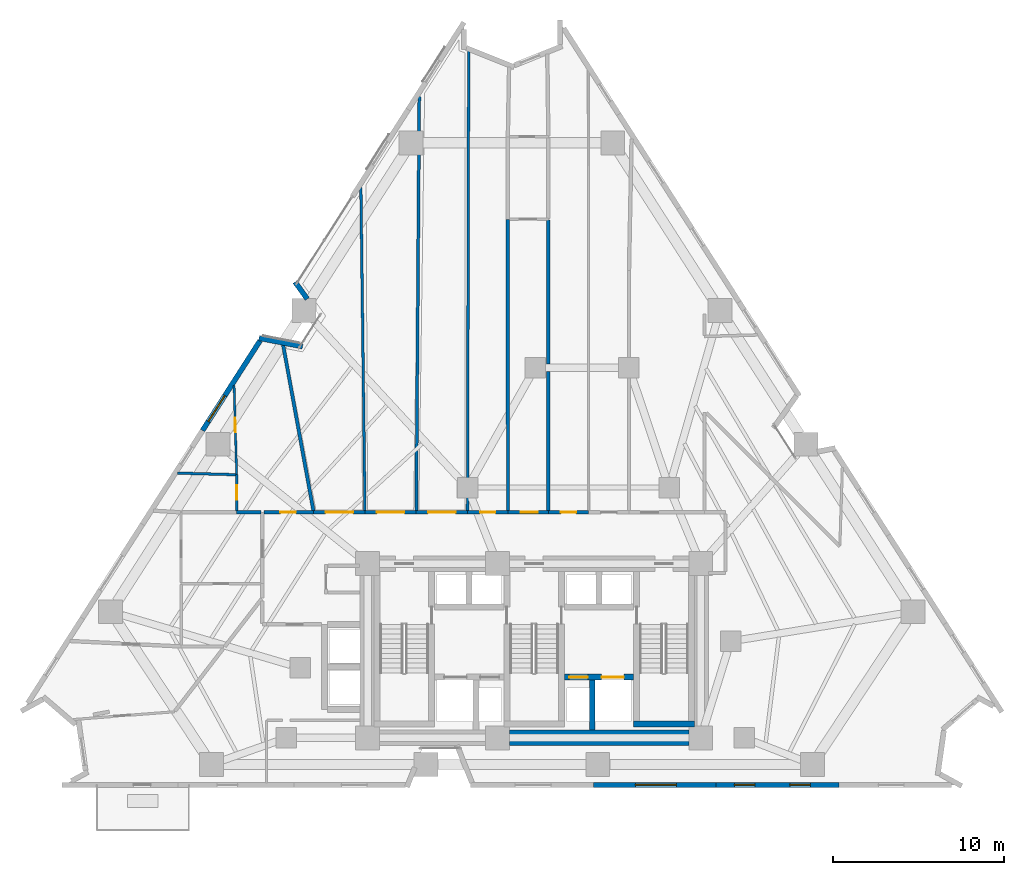
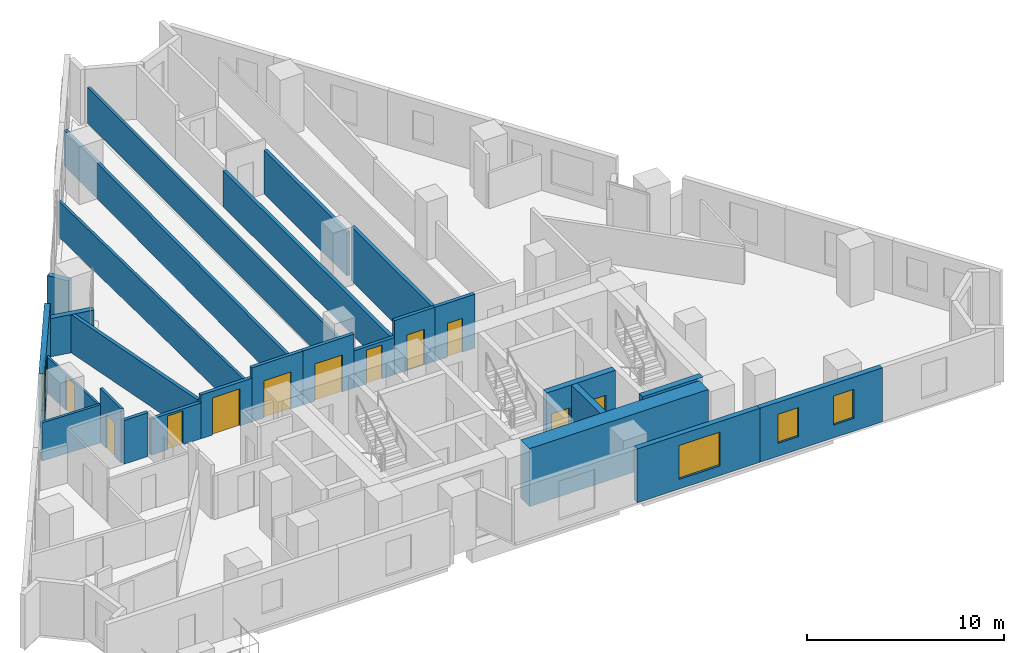
# One storey, part 9 of 15: 27 walls, 11 doors, 4 windows, 15 openings.
"""IFC4 building model written with IfcOpenShell, lengths in metres."""

import ifcopenshell
import ifcopenshell.guid

model = None  # the IFC model being written
_history = None  # IfcOwnerHistory: only IFC2X3 demands one
_inside = {}  # id of a spatial element -> (the spatial element, [elements in it])
_under = {}  # id of a project, library or spatial element -> (it, [spatial elements below it])
_declared = {}  # id of a project -> (the project, [libraries it declares])
_typed = {}  # id of a type object -> (the type object, [elements of that type])
_made_of = {}  # id of a material, layer set ... -> (it, [elements and type objects made of it])


def new_model(schema):
    """Start an empty IFC model of exactly this schema.

    Asked for "IFC4X3", IfcOpenShell would pick the latest addendum, in which some entities
    have other attributes; the version numbers below select the first issue.
    IFC2X3 requires an IfcOwnerHistory on every rooted entity: one is made here for all.
    """
    global model, _history
    if schema == "IFC4X3":
        model = ifcopenshell.file(schema_version=(4, 3, 0, 0))
    else:
        model = ifcopenshell.file(schema=schema)
    _inside.clear()
    _under.clear()
    _declared.clear()
    _typed.clear()
    _made_of.clear()
    _history = None
    if model.schema == "IFC2X3":
        org = make("IfcOrganization", Name="unknown")
        user = make(
            "IfcPersonAndOrganization",
            ThePerson=make("IfcPerson", FamilyName="unknown"),
            TheOrganization=org,
        )
        app = make(
            "IfcApplication",
            ApplicationDeveloper=org,
            Version="unknown",
            ApplicationFullName="unknown",
            ApplicationIdentifier="unknown",
        )
        _history = make(
            "IfcOwnerHistory",
            OwningUser=user,
            OwningApplication=app,
            ChangeAction="ADDED",
            CreationDate=0,
        )
    return model


def make(cls, **values):
    """One entity of the class cls with the attributes given. An attribute that is None is left unset."""
    return model.create_entity(
        cls, **{name: value for name, value in values.items() if value is not None}
    )


def rooted(cls, **values):
    """An entity with a GlobalId (a new one), such as an element, a storey or a relation."""
    return make(cls, GlobalId=ifcopenshell.guid.new(), OwnerHistory=_history, **values)


def si_unit(unit_type, name, prefix=None):
    """IfcSIUnit, for example si_unit("LENGTHUNIT", "METRE", prefix="MILLI")."""
    return make("IfcSIUnit", UnitType=unit_type, Prefix=prefix, Name=name)


def assignment(units):
    """IfcUnitAssignment: the units of a project."""
    return None if units is None else make("IfcUnitAssignment", Units=units)


def point(xyz):
    """IfcCartesianPoint."""
    return None if xyz is None else make("IfcCartesianPoint", Coordinates=xyz)


def direction(xyz):
    """IfcDirection."""
    return None if xyz is None else make("IfcDirection", DirectionRatios=xyz)


def frame(location, z_axis=None, x_axis=None):
    """IfcAxis2Placement3D, a coordinate frame: its origin and axes. An axis left out is left unset."""
    return make(
        "IfcAxis2Placement3D",
        Location=point(location),
        Axis=direction(z_axis),
        RefDirection=direction(x_axis),
    )


def frame_2d(location, x_axis=None):
    """IfcAxis2Placement2D, a coordinate frame in the plane: its origin and x axis."""
    return make(
        "IfcAxis2Placement2D", Location=point(location), RefDirection=direction(x_axis)
    )


def origin():
    """The frame at (0, 0, 0) with its axes left unset."""
    return frame((0.0, 0.0, 0.0))


def place(relative_to, where):
    """IfcLocalPlacement: puts the frame where relative to a parent placement (None: the world)."""
    return make(
        "IfcLocalPlacement", PlacementRelTo=relative_to, RelativePlacement=where
    )


def context(
    kind, dimensions, precision=None, world=None, true_north=None, identifier=None
):
    """IfcGeometricRepresentationContext, for example the 3D "Model" context."""
    return make(
        "IfcGeometricRepresentationContext",
        ContextIdentifier=identifier,
        ContextType=kind,
        CoordinateSpaceDimension=dimensions,
        Precision=precision,
        WorldCoordinateSystem=world,
        TrueNorth=true_north,
    )


def subcontext(parent, identifier, kind, view, scale=None):
    """IfcGeometricRepresentationSubContext, for example "Body" below "Model"."""
    return make(
        "IfcGeometricRepresentationSubContext",
        ContextIdentifier=identifier,
        ContextType=kind,
        ParentContext=parent,
        TargetScale=scale,
        TargetView=view,
    )


def project(units=None, contexts=None):
    """IfcProject with its units and contexts."""
    return rooted(
        "IfcProject",
        Name="project",
        RepresentationContexts=contexts,
        UnitsInContext=assignment(units),
    )


def spatial(cls, under=None, at=None, **own):
    """A site, building, storey or space (cls), placed at a placement, below another one or the project."""
    s = rooted(cls, ObjectPlacement=at, **own)
    if under is not None:
        _under.setdefault(under.id(), (under, []))[1].append(s)
    return s


def profile(cls, at=None, kind="AREA", **sizes):
    """A parametric profile (cls). Its sizes go by their IFC names, for example OverallWidth=200.0."""
    return make(cls, ProfileType=kind, Position=at, **sizes)


def rectangle(**sizes):
    """IfcRectangleProfileDef."""
    return profile("IfcRectangleProfileDef", **sizes)


def extrude(swept, where, along, depth):
    """IfcExtrudedAreaSolid: the profile swept, set in the frame where, extruded along a direction by depth."""
    return make(
        "IfcExtrudedAreaSolid",
        SweptArea=swept,
        Position=where,
        ExtrudedDirection=direction(along),
        Depth=depth,
    )


def shape(context_of_items, identifier, shape_type, items):
    """IfcShapeRepresentation: the items that make up one representation, for example the "Body"."""
    return make(
        "IfcShapeRepresentation",
        ContextOfItems=context_of_items,
        RepresentationIdentifier=identifier,
        RepresentationType=shape_type,
        Items=items,
    )


def material(Name=None, Category=None):
    """IfcMaterial."""
    return make("IfcMaterial", Name=Name, Category=Category)


def layer(
    of_material, thickness, ventilated=None, Name=None, Category=None, Priority=None
):
    """IfcMaterialLayer: one layer of a wall or slab, of a material (None: an air gap)."""
    return make(
        "IfcMaterialLayer",
        Material=of_material,
        LayerThickness=thickness,
        IsVentilated=ventilated,
        Name=Name,
        Category=Category,
        Priority=Priority,
    )


def layer_set(layers, Name=None):
    """IfcMaterialLayerSet."""
    return make("IfcMaterialLayerSet", MaterialLayers=layers, LayerSetName=Name)


def made_of(thing, what):
    """Note that an element or type object is made of a material, layer set ...; save() writes the relation."""
    if what is not None:
        _made_of.setdefault(what.id(), (what, []))[1].append(thing)
    return thing


def type_object(cls, material=None, **own):
    """A type object (cls), such as IfcWallType, which elements share."""
    return made_of(rooted(cls, **own), material)


def element(
    cls,
    number,
    at=None,
    inside=None,
    cuts=None,
    type_object=None,
    material=None,
    context=None,
    identifier="Body",
    shape_type=None,
    held_by="IfcProductDefinitionShape",
    body=None,
    shapes=None,
    **own,
):
    """One element of the class cls, such as IfcWall. Its Tag is "e" and its number.

    at: its placement. inside: the storey or other place that contains it. cuts: it is an
    opening in that element (IfcRelVoidsElement). A single representation is given by context,
    identifier, shape_type and body (its items); several are given by shapes. held_by: the class
    of the entity that holds the representations. save() writes the other relations.
    """
    e = rooted(cls, Tag="e%d" % number, ObjectPlacement=at, **own)
    if body is not None:
        shapes = [shape(context, identifier, shape_type, body)]
    if shapes is not None:
        e.Representation = make(held_by, Representations=shapes)
    if inside is not None:
        _inside.setdefault(inside.id(), (inside, []))[1].append(e)
    if cuts is not None:
        rooted(
            "IfcRelVoidsElement", RelatingBuildingElement=cuts, RelatedOpeningElement=e
        )
    if type_object is not None:
        _typed.setdefault(type_object.id(), (type_object, []))[1].append(e)
    return made_of(e, material)


def fill(opening, filler):
    """IfcRelFillsElement: the door or window that sits in an opening."""
    return rooted(
        "IfcRelFillsElement",
        RelatingOpeningElement=opening,
        RelatedBuildingElement=filler,
    )


def aggregate(whole, parts):
    """IfcRelAggregates: a whole, such as a stair, and the parts it consists of."""
    return rooted("IfcRelAggregates", RelatingObject=whole, RelatedObjects=parts)


def save(model, path):
    """Write the relations noted so far, then the file.

    IfcRelAggregates (storeys below a building ...), IfcRelContainedInSpatialStructure (elements
    in a storey), IfcRelDefinesByType, IfcRelAssociatesMaterial and IfcRelDeclares: one each for
    every whole, place, type object, material and project.
    """
    for whole, parts in _under.values():
        aggregate(whole, parts)
    for where, things in _inside.values():
        rooted(
            "IfcRelContainedInSpatialStructure",
            RelatedElements=things,
            RelatingStructure=where,
        )
    for kind, things in _typed.values():
        rooted("IfcRelDefinesByType", RelatedObjects=things, RelatingType=kind)
    for what, things in _made_of.values():
        rooted("IfcRelAssociatesMaterial", RelatedObjects=things, RelatingMaterial=what)
    for by, libraries in _declared.values():
        rooted("IfcRelDeclares", RelatingContext=by, RelatedDefinitions=libraries)
    model.write(path)


model = new_model("IFC4")

# Units and contexts
model_context = context("Model", 3, precision=1e-05, world=origin(), true_north=direction((0.0, 1.0)))
body_context = subcontext(model_context, "Body", "Model", "MODEL_VIEW")
ifc_project = project(units=[si_unit("LENGTHUNIT", "METRE"), si_unit("AREAUNIT", "SQUARE_METRE"), si_unit("VOLUMEUNIT", "CUBIC_METRE"), si_unit("PLANEANGLEUNIT", "RADIAN"), si_unit("MASSUNIT", "GRAM", prefix="KILO")], contexts=[model_context])

# Site, building, storey
site_placement = place(None, origin())
site = spatial("IfcSite", under=ifc_project, at=site_placement, CompositionType="ELEMENT")
building_placement = place(site_placement, origin())
building = spatial("IfcBuilding", under=site, at=building_placement, Name="Almagre Mirador Tower", CompositionType="ELEMENT")
storey_placement = place(building_placement, frame((0.0, 0.0, 31.800048828125)))
storey = spatial("IfcBuildingStorey", under=building, at=storey_placement, Name="L06", CompositionType="ELEMENT", Elevation=31.800048828125)

# Walls
ifc_material_1 = material(Name="Precast concrete C50/60", Category="concrete")
ifc_layer_1 = layer(ifc_material_1, 0.300048828125)
ifc_layer_set_1 = layer_set([ifc_layer_1], Name="Precast concrete C50/60")
wall_type_1 = type_object("IfcWallType", Name="WAL-EXT-300", PredefinedType="SOLIDWALL", material=ifc_layer_set_1)
wall_1_placement = place(storey_placement, frame((21.20068359375, 27.946533203125, 0.0), z_axis=(0.0, 0.0, 1.0), x_axis=(0.981746971615, -0.190191702567, 0.0)))
element("IfcWall", 1, at=wall_1_placement, inside=storey, type_object=wall_type_1, Name="L06 expressed almagre precast frame wall 01", PredefinedType="SOLIDWALL", context=body_context, shape_type="SweptSolid", body=[
    extrude(rectangle(XDim=2.593017578125, YDim=0.300048828125, at=frame_2d((1.29638671875, 0.0))), origin(), (0.0, 0.0, 1.0), 2.375),
])
wall_2_placement = place(storey_placement, frame((24.022216796875, 30.235107421875, 0.0), z_axis=(0.0, 0.0, 1.0), x_axis=(-0.583004903736, 0.812468634607, 0.0)))
element("IfcWall", 2, at=wall_2_placement, inside=storey, type_object=wall_type_1, Name="L06 expressed almagre precast frame wall 02", PredefinedType="SOLIDWALL", context=body_context, shape_type="SweptSolid", body=[
    extrude(rectangle(XDim=1.227783203125, YDim=0.300048828125, at=frame_2d((0.61376953125, 0.0))), origin(), (0.0, 0.0, 1.0), 2.375),
])

# Wall, openings, windows
wall_3_placement = place(storey_placement, frame((55.14697265625, 1.800048828125, 0.0), z_axis=(0.0, 0.0, 1.0), x_axis=(-1.0, 0.0, 0.0)))
wall_3 = element("IfcWall", 3, at=wall_3_placement, inside=storey, type_object=wall_type_1, Name="L06 expressed almagre precast frame wall 23", PredefinedType="SOLIDWALL", context=body_context, shape_type="SweptSolid", body=[
    extrude(rectangle(XDim=7.19287109375, YDim=0.300048828125, at=frame_2d((3.596435546875, 0.0))), origin(), (0.0, 0.0, 1.0), 3.349853515625),
])
opening_1_placement = place(wall_3_placement, frame((4.925048828125, 0.0, 0.800048828125)))
opening_1 = element("IfcOpeningElement", 4, at=opening_1_placement, cuts=wall_3, Name="Opening WN-04", PredefinedType="OPENING", context=body_context, shape_type="SweptSolid", body=[
    extrude(rectangle(XDim=1.199951171875, YDim=1.800048828125, at=frame_2d((0.60009765625, 0.89990234375))), frame((0.0, 0.159902, 0.0), z_axis=(0.0, -1.0, 0.0), x_axis=(1.0, 0.0, 0.0)), (0.0, 0.0, 1.0), 0.320049),
])
opening_2_placement = place(wall_3_placement, frame((1.675048828125, 0.0, 0.800048828125)))
opening_2 = element("IfcOpeningElement", 5, at=opening_2_placement, cuts=wall_3, Name="Opening WN-04", PredefinedType="OPENING", context=body_context, shape_type="SweptSolid", body=[
    extrude(rectangle(XDim=1.199951171875, YDim=1.800048828125, at=frame_2d((0.60009765625, 0.89990234375))), frame((0.0, 0.159902, 0.0), z_axis=(0.0, -1.0, 0.0), x_axis=(1.0, 0.0, 0.0)), (0.0, 0.0, 1.0), 0.320049),
])
ifc_material_2 = material(Name="Dark solar-control laminated hurricane glass", Category="glass")
window_type_1 = type_object("IfcWindowType", Name="WIN-1200X1800", PartitioningType="SINGLE_PANEL", PredefinedType="WINDOW", material=ifc_material_2)
window_1_placement = place(opening_1_placement, origin())
window_1 = element("IfcWindow", 6, at=window_1_placement, inside=storey, type_object=window_type_1, Name="L06 recessed hurricane window L06-RST-C", OverallHeight=1.800048828125, OverallWidth=1.199951171875, PartitioningType="SINGLE_PANEL", PredefinedType="WINDOW", context=body_context, shape_type="SweptSolid", body=[
    extrude(rectangle(XDim=1.199951171875, YDim=1.800048828125, at=frame_2d((0.60009765625, 0.89990234375))), frame((0.0, 0.030029296875, 0.0), z_axis=(0.0, -1.0, 0.0), x_axis=(1.0, 0.0, 0.0)), (0.0, 0.0, 1.0), 0.06005859375),
])
fill(opening_1, window_1)
window_2_placement = place(opening_2_placement, origin())
window_2 = element("IfcWindow", 7, at=window_2_placement, inside=storey, type_object=window_type_1, Name="L06 recessed hurricane window L06-RST-D", OverallHeight=1.800048828125, OverallWidth=1.199951171875, PartitioningType="SINGLE_PANEL", PredefinedType="WINDOW", context=body_context, shape_type="SweptSolid", body=[
    extrude(rectangle(XDim=1.199951171875, YDim=1.800048828125, at=frame_2d((0.60009765625, 0.89990234375))), frame((0.0, 0.030029296875, 0.0), z_axis=(0.0, -1.0, 0.0), x_axis=(1.0, 0.0, 0.0)), (0.0, 0.0, 1.0), 0.06005859375),
])
fill(opening_2, window_2)

# Wall, opening, window
wall_4_placement = place(storey_placement, frame((47.9541015625, 1.800048828125, 0.0), z_axis=(0.0, 0.0, 1.0), x_axis=(-1.0, 0.0, 0.0)))
wall_4 = element("IfcWall", 8, at=wall_4_placement, inside=storey, type_object=wall_type_1, Name="L06 expressed almagre precast frame wall 24", PredefinedType="SOLIDWALL", context=body_context, shape_type="SweptSolid", body=[
    extrude(rectangle(XDim=7.193115234375, YDim=0.300048828125, at=frame_2d((3.5966796875, 0.0))), origin(), (0.0, 0.0, 1.0), 3.349853515625),
])
opening_3_placement = place(wall_4_placement, frame((2.324951171875, 0.0, 0.60009765625)))
opening_3 = element("IfcOpeningElement", 9, at=opening_3_placement, cuts=wall_4, Name="Opening WN-02", PredefinedType="OPENING", context=body_context, shape_type="SweptSolid", body=[
    extrude(rectangle(XDim=2.39990234375, YDim=2.10009765625, at=frame_2d((1.199951171875, 1.050048828125))), frame((0.0, 0.159902, 0.0), z_axis=(0.0, -1.0, 0.0), x_axis=(1.0, 0.0, 0.0)), (0.0, 0.0, 1.0), 0.320049),
])
ifc_material_3 = material(Name="Dark solar-control laminated hurricane glass", Category="glass")
window_type_2 = type_object("IfcWindowType", Name="WIN-2400X2100", PartitioningType="TRIPLE_PANEL_VERTICAL", PredefinedType="WINDOW", material=ifc_material_3)
window_3_placement = place(opening_3_placement, origin())
window_3 = element("IfcWindow", 10, at=window_3_placement, inside=storey, type_object=window_type_2, Name="L06 recessed hurricane window L06-RST-C", OverallHeight=2.10009765625, OverallWidth=2.39990234375, PartitioningType="SINGLE_PANEL", PredefinedType="WINDOW", context=body_context, shape_type="SweptSolid", body=[
    extrude(rectangle(XDim=2.39990234375, YDim=2.10009765625, at=frame_2d((1.199951171875, 1.050048828125))), frame((0.0, 0.030029296875, 0.0), z_axis=(0.0, -1.0, 0.0), x_axis=(1.0, 0.0, 0.0)), (0.0, 0.0, 1.0), 0.06005859375),
])
fill(opening_3, window_3)

wall_5_placement = place(storey_placement, frame((17.892578125, 22.54345703125, 0.0), z_axis=(0.0, 0.0, 1.0), x_axis=(0.539539053693, 0.841960574813, 0.0)))
wall_5 = element("IfcWall", 11, at=wall_5_placement, inside=storey, type_object=wall_type_1, Name="L06 expressed almagre precast frame wall 38", PredefinedType="SOLIDWALL", context=body_context, shape_type="SweptSolid", body=[
    extrude(rectangle(XDim=6.250732421875, YDim=0.300048828125, at=frame_2d((3.12548828125, 0.0))), origin(), (0.0, 0.0, 1.0), 3.349853515625),
])
opening_4_placement = place(wall_5_placement, frame((0.625, 0.0, 0.60009765625)))
opening_4 = element("IfcOpeningElement", 12, at=opening_4_placement, cuts=wall_5, Name="Opening WN-01", PredefinedType="OPENING", context=body_context, shape_type="SweptSolid", body=[
    extrude(rectangle(XDim=1.800048828125, YDim=2.10009765625, at=frame_2d((0.89990234375, 1.050048828125))), frame((0.0, 0.159902, 0.0), z_axis=(0.0, -1.0, 0.0), x_axis=(1.0, 0.0, 0.0)), (0.0, 0.0, 1.0), 0.320049),
])
ifc_material_4 = material(Name="Dark solar-control laminated hurricane glass", Category="glass")
window_type_3 = type_object("IfcWindowType", Name="WIN-1800X2100", PartitioningType="DOUBLE_PANEL_VERTICAL", PredefinedType="WINDOW", material=ifc_material_4)
window_4_placement = place(opening_4_placement, origin())
window_4 = element("IfcWindow", 13, at=window_4_placement, inside=storey, type_object=window_type_3, Name="L06 recessed hurricane window L06-UG-KT", OverallHeight=2.10009765625, OverallWidth=1.800048828125, PartitioningType="SINGLE_PANEL", PredefinedType="WINDOW", context=body_context, shape_type="SweptSolid", body=[
    extrude(rectangle(XDim=1.800048828125, YDim=2.10009765625, at=frame_2d((0.89990234375, 1.050048828125))), frame((0.0, 0.030029296875, 0.0), z_axis=(0.0, -1.0, 0.0), x_axis=(1.0, 0.0, 0.0)), (0.0, 0.0, 1.0), 0.06005859375),
])
fill(opening_4, window_4)

# Wall, opening, door
ifc_material_5 = material(Name="Gypsum acoustic stud partition", Category="other")
ifc_layer_2 = layer(ifc_material_5, 0.125)
ifc_layer_set_2 = layer_set([ifc_layer_2], Name="Gypsum acoustic stud partition")
wall_type_2 = type_object("IfcWallType", Name="WAL-PRT-125-UTL", PredefinedType="PARTITIONING", material=ifc_layer_set_2)
wall_6_placement = place(storey_placement, frame((19.740966796875, 25.18603515625, 0.0), z_axis=(0.0, 0.0, 1.0), x_axis=(0.028430709053, -0.999595765689, 0.0)))
wall_6 = element("IfcWall", 14, at=wall_6_placement, inside=storey, type_object=wall_type_2, Name="L06 interior partition 042", PredefinedType="PARTITIONING", context=body_context, shape_type="SweptSolid", body=[
    extrude(rectangle(XDim=5.23828125, YDim=0.125, at=frame_2d((2.619140625, 0.0))), origin(), (0.0, 0.0, 1.0), 2.22802734375),
])
opening_5_placement = place(wall_6_placement, frame((1.893798828125, 0.0, 0.0)))
opening_5 = element("IfcOpeningElement", 15, at=opening_5_placement, cuts=wall_6, Name="Opening UD-04", PredefinedType="OPENING", context=body_context, shape_type="SweptSolid", body=[
    extrude(rectangle(XDim=0.85009765625, YDim=2.10009765625, at=frame_2d((0.425048828125, 1.050048828125))), frame((0.0, 0.0725, 0.0), z_axis=(0.0, -1.0, 0.0), x_axis=(1.0, 0.0, 0.0)), (0.0, 0.0, 1.0), 0.145),
])
ifc_material_6 = material(Name="Moisture-resistant oak timber", Category="wood")
door_type_1 = type_object("IfcDoorType", Name="DOR-UNR-850X2100", OperationType="NOTDEFINED", PredefinedType="DOOR", material=ifc_material_6)
door_1_placement = place(opening_5_placement, origin())
door_1 = element("IfcDoor", 16, at=door_1_placement, inside=storey, type_object=door_type_1, Name="DR-0192 L06 interior door L06-UG-ST to L06-UG-KT", OperationType="SINGLE_SWING_LEFT", OverallHeight=2.10009765625, OverallWidth=0.85009765625, PredefinedType="DOOR", context=body_context, shape_type="SweptSolid", body=[
    extrude(rectangle(XDim=0.85009765625, YDim=2.10009765625, at=frame_2d((0.425048828125, 1.050048828125))), frame((0.0, 0.02490234375, 0.0), z_axis=(0.0, -1.0, 0.0), x_axis=(1.0, 0.0, 0.0)), (0.0, 0.0, 1.0), 0.050048828125),
])
fill(opening_5, door_1)

ifc_material_7 = material(Name="Gypsum acoustic stud partition", Category="other")
ifc_layer_3 = layer(ifc_material_7, 0.14990234375)
ifc_layer_set_3 = layer_set([ifc_layer_3], Name="Gypsum acoustic stud partition")
wall_type_3 = type_object("IfcWallType", Name="WAL-PRT-150-STD", PredefinedType="PARTITIONING", material=ifc_layer_set_3)
wall_7_placement = place(storey_placement, frame((19.889892578125, 19.949951171875, 0.0), z_axis=(0.0, 0.0, 1.0), x_axis=(0.0, -1.0, 0.0)))
wall_7 = element("IfcWall", 17, at=wall_7_placement, inside=storey, type_object=wall_type_3, Name="L06 interior partition 043", PredefinedType="PARTITIONING", context=body_context, shape_type="SweptSolid", body=[
    extrude(rectangle(XDim=2.114990234375, YDim=0.14990234375, at=frame_2d((1.0576171875, 0.0))), origin(), (0.0, 0.0, 1.0), 3.349853515625),
])
opening_6_placement = place(wall_7_placement, frame((0.615478515625, 0.0, 0.0)))
opening_6 = element("IfcOpeningElement", 18, at=opening_6_placement, cuts=wall_7, Name="Opening UD-04", PredefinedType="OPENING", context=body_context, shape_type="SweptSolid", body=[
    extrude(rectangle(XDim=0.85009765625, YDim=2.10009765625, at=frame_2d((0.425048828125, 1.050048828125))), frame((0.0, 0.084951, 0.0), z_axis=(0.0, -1.0, 0.0), x_axis=(1.0, 0.0, 0.0)), (0.0, 0.0, 1.0), 0.169902),
])
door_2_placement = place(opening_6_placement, origin())
door_2 = element("IfcDoor", 19, at=door_2_placement, inside=storey, type_object=door_type_1, Name="DR-0193 L06 interior door L06-UG-ST to L06-UG-BT", OperationType="SINGLE_SWING_RIGHT", OverallHeight=2.10009765625, OverallWidth=0.85009765625, PredefinedType="DOOR", context=body_context, shape_type="SweptSolid", body=[
    extrude(rectangle(XDim=0.85009765625, YDim=2.10009765625, at=frame_2d((0.425048828125, 1.050048828125))), frame((0.0, 0.02490234375, 0.0), z_axis=(0.0, -1.0, 0.0), x_axis=(1.0, 0.0, 0.0)), (0.0, 0.0, 1.0), 0.050048828125),
])
fill(opening_6, door_2)

# Walls
wall_8_placement = place(storey_placement, frame((16.43310546875, 20.0458984375, 0.0), z_axis=(0.0, 0.0, 1.0), x_axis=(0.999614255068, -0.027773027638, 0.0)))
element("IfcWall", 20, at=wall_8_placement, inside=storey, type_object=wall_type_3, Name="L06 interior partition 045", PredefinedType="PARTITIONING", context=body_context, shape_type="SweptSolid", body=[
    extrude(rectangle(XDim=3.41064453125, YDim=0.14990234375, at=frame_2d((1.705322265625, 0.0))), origin(), (0.0, 0.0, 1.0), 2.369873046875),
])
wall_9_placement = place(storey_placement, frame((27.399169921875, 17.8349609375, 0.0), z_axis=(0.0, 0.0, 1.0), x_axis=(-0.012641377926, 0.99992009459, 0.0)))
element("IfcWall", 21, at=wall_9_placement, inside=storey, type_object=wall_type_3, Name="L06 interior partition 046", PredefinedType="PARTITIONING", context=body_context, shape_type="SweptSolid", body=[
    extrude(rectangle(XDim=18.926513671875, YDim=0.14990234375, at=frame_2d((9.46337890625, 0.0))), origin(), (0.0, 0.0, 1.0), 2.22802734375),
])
wall_10_placement = place(storey_placement, frame((33.400146484375, 17.8349609375, 0.0), z_axis=(0.0, 0.0, 1.0), x_axis=(0.002519340237, 0.999996826457, 0.0)))
element("IfcWall", 22, at=wall_10_placement, inside=storey, type_object=wall_type_3, Name="L06 interior partition 052", PredefinedType="PARTITIONING", context=body_context, shape_type="SweptSolid", body=[
    extrude(rectangle(XDim=26.93994140625, YDim=0.14990234375, at=frame_2d((13.469970703125, 0.0))), origin(), (0.0, 0.0, 1.0), 2.22802734375),
])
ifc_material_8 = material(Name="Gypsum acoustic stud partition", Category="other")
ifc_layer_4 = layer(ifc_material_8, 0.175048828125)
ifc_layer_set_4 = layer_set([ifc_layer_4], Name="Gypsum acoustic stud partition")
wall_type_4 = type_object("IfcWallType", Name="WAL-PRT-175-AC", PredefinedType="PARTITIONING", material=ifc_layer_set_4)
wall_11_placement = place(storey_placement, frame((30.400634765625, 17.8349609375, 0.0), z_axis=(0.0, 0.0, 1.0), x_axis=(0.007313118493, 0.999973258791, 0.0)))
element("IfcWall", 23, at=wall_11_placement, inside=storey, type_object=wall_type_4, Name="L06 interior partition 051", PredefinedType="PARTITIONING", context=body_context, shape_type="SweptSolid", body=[
    extrude(rectangle(XDim=24.23681640625, YDim=0.175048828125, at=frame_2d((12.118408203125, 0.0))), origin(), (0.0, 0.0, 1.0), 2.22802734375),
])

# Wall, opening, door
ifc_material_9 = material(Name="Gypsum acoustic stud partition", Category="other")
ifc_layer_5 = layer(ifc_material_9, 0.199951171875)
ifc_layer_set_5 = layer_set([ifc_layer_5], Name="Gypsum acoustic stud partition")
wall_type_5 = type_object("IfcWallType", Name="WAL-PRT-200-EI60", PredefinedType="PARTITIONING", material=ifc_layer_set_5)
wall_12_placement = place(storey_placement, frame((24.39990234375, 17.75, 0.0), z_axis=(0.0, 0.0, 1.0), x_axis=(-1.0, 0.0, 0.0)))
wall_12 = element("IfcWall", 24, at=wall_12_placement, inside=storey, type_object=wall_type_5, Name="L06 interior partition 011", PredefinedType="PARTITIONING", context=body_context, shape_type="SweptSolid", body=[
    extrude(rectangle(XDim=2.914794921875, YDim=0.199951171875, at=frame_2d((1.45751953125, 0.0))), origin(), (0.0, 0.0, 1.0), 2.22802734375),
])
opening_7_placement = place(wall_12_placement, frame((1.050048828125, 0.0, 0.0)))
opening_7 = element("IfcOpeningElement", 25, at=opening_7_placement, cuts=wall_12, Name="Opening ID-03", PredefinedType="OPENING", context=body_context, shape_type="SweptSolid", body=[
    extrude(rectangle(XDim=0.89990234375, YDim=2.10009765625, at=frame_2d((0.449951171875, 1.050048828125))), frame((0.0, 0.110098, 0.0), z_axis=(0.0, -1.0, 0.0), x_axis=(1.0, 0.0, 0.0)), (0.0, 0.0, 1.0), 0.219951),
])
ifc_material_10 = material(Name="Fire-rated hollow steel", Category="steel")
door_type_2 = type_object("IfcDoorType", Name="DOR-FD60-900X2100", OperationType="NOTDEFINED", PredefinedType="DOOR", material=ifc_material_10)
door_3_placement = place(opening_7_placement, origin())
door_3 = element("IfcDoor", 26, at=door_3_placement, inside=storey, type_object=door_type_2, Name="DR-0191 L06 interior door L06-RCOR to L06-UG-ST", OperationType="SINGLE_SWING_RIGHT", OverallHeight=2.10009765625, OverallWidth=0.89990234375, PredefinedType="DOOR", context=body_context, shape_type="SweptSolid", body=[
    extrude(rectangle(XDim=0.89990234375, YDim=2.10009765625, at=frame_2d((0.449951171875, 1.050048828125))), frame((0.0, 0.02490234375, 0.0), z_axis=(0.0, -1.0, 0.0), x_axis=(1.0, 0.0, 0.0)), (0.0, 0.0, 1.0), 0.050048828125),
])
fill(opening_7, door_3)

wall_13_placement = place(storey_placement, frame((27.39990234375, 17.75, 0.0), z_axis=(0.0, 0.0, 1.0), x_axis=(-1.0, 0.0, 0.0)))
wall_13 = element("IfcWall", 27, at=wall_13_placement, inside=storey, type_object=wall_type_5, Name="L06 interior partition 012", PredefinedType="PARTITIONING", context=body_context, shape_type="SweptSolid", body=[
    extrude(rectangle(XDim=3.0, YDim=0.199951171875, at=frame_2d((1.5, 0.0))), origin(), (0.0, 0.0, 1.0), 2.708984375),
])
opening_8_placement = place(wall_13_placement, frame((0.699951171875, 0.0, 0.0)))
opening_8 = element("IfcOpeningElement", 28, at=opening_8_placement, cuts=wall_13, Name="Opening ID-05", PredefinedType="OPENING", context=body_context, shape_type="SweptSolid", body=[
    extrude(rectangle(XDim=1.60009765625, YDim=2.300048828125, at=frame_2d((0.800048828125, 1.14990234375))), frame((0.0, 0.110098, 0.0), z_axis=(0.0, -1.0, 0.0), x_axis=(1.0, 0.0, 0.0)), (0.0, 0.0, 1.0), 0.219951),
])
ifc_material_11 = material(Name="Fire-rated acoustic timber", Category="wood")
door_type_3 = type_object("IfcDoorType", Name="DOR-FD60-1600X2300", OperationType="DOUBLE_DOOR_SINGLE_SWING", PredefinedType="DOOR", material=ifc_material_11)
door_4_placement = place(opening_8_placement, origin())
door_4 = element("IfcDoor", 29, at=door_4_placement, inside=storey, type_object=door_type_3, Name="DR-0181 L06 interior door L06-RCOR to L06-RST-H", OperationType="DOUBLE_DOOR_SINGLE_SWING", OverallHeight=2.300048828125, OverallWidth=1.60009765625, PredefinedType="DOOR", context=body_context, shape_type="SweptSolid", body=[
    extrude(rectangle(XDim=1.60009765625, YDim=2.300048828125, at=frame_2d((0.800048828125, 1.14990234375))), frame((0.0, 0.02490234375, 0.0), z_axis=(0.0, -1.0, 0.0), x_axis=(1.0, 0.0, 0.0)), (0.0, 0.0, 1.0), 0.050048828125),
])
fill(opening_8, door_4)

wall_14_placement = place(storey_placement, frame((30.39990234375, 17.75, 0.0), z_axis=(0.0, 0.0, 1.0), x_axis=(-1.0, 0.0, 0.0)))
wall_14 = element("IfcWall", 30, at=wall_14_placement, inside=storey, type_object=wall_type_5, Name="L06 interior partition 013", PredefinedType="PARTITIONING", context=body_context, shape_type="SweptSolid", body=[
    extrude(rectangle(XDim=3.0, YDim=0.199951171875, at=frame_2d((1.5, 0.0))), origin(), (0.0, 0.0, 1.0), 3.349853515625),
])
opening_9_placement = place(wall_14_placement, frame((0.699951171875, 0.0, 0.0)))
opening_9 = element("IfcOpeningElement", 31, at=opening_9_placement, cuts=wall_14, Name="Opening ID-05", PredefinedType="OPENING", context=body_context, shape_type="SweptSolid", body=[
    extrude(rectangle(XDim=1.60009765625, YDim=2.300048828125, at=frame_2d((0.800048828125, 1.14990234375))), frame((0.0, 0.110098, 0.0), z_axis=(0.0, -1.0, 0.0), x_axis=(1.0, 0.0, 0.0)), (0.0, 0.0, 1.0), 0.219951),
])
door_5_placement = place(opening_9_placement, origin())
door_5 = element("IfcDoor", 32, at=door_5_placement, inside=storey, type_object=door_type_3, Name="DR-0182 L06 interior door L06-RCOR to L06-RST-K", OperationType="DOUBLE_DOOR_SINGLE_SWING", OverallHeight=2.300048828125, OverallWidth=1.60009765625, PredefinedType="DOOR", context=body_context, shape_type="SweptSolid", body=[
    extrude(rectangle(XDim=1.60009765625, YDim=2.300048828125, at=frame_2d((0.800048828125, 1.14990234375))), frame((0.0, 0.02490234375, 0.0), z_axis=(0.0, -1.0, 0.0), x_axis=(1.0, 0.0, 0.0)), (0.0, 0.0, 1.0), 0.050048828125),
])
fill(opening_9, door_5)

wall_15_placement = place(storey_placement, frame((33.39990234375, 17.75, 0.0), z_axis=(0.0, 0.0, 1.0), x_axis=(-1.0, 0.0, 0.0)))
wall_15 = element("IfcWall", 33, at=wall_15_placement, inside=storey, type_object=wall_type_5, Name="L06 interior partition 014", PredefinedType="PARTITIONING", context=body_context, shape_type="SweptSolid", body=[
    extrude(rectangle(XDim=3.0, YDim=0.199951171875, at=frame_2d((1.5, 0.0))), origin(), (0.0, 0.0, 1.0), 3.349853515625),
])
opening_10_placement = place(wall_15_placement, frame((0.699951171875, 0.0, 0.0)))
opening_10 = element("IfcOpeningElement", 34, at=opening_10_placement, cuts=wall_15, Name="Opening ID-05", PredefinedType="OPENING", context=body_context, shape_type="SweptSolid", body=[
    extrude(rectangle(XDim=1.60009765625, YDim=2.300048828125, at=frame_2d((0.800048828125, 1.14990234375))), frame((0.0, 0.110098, 0.0), z_axis=(0.0, -1.0, 0.0), x_axis=(1.0, 0.0, 0.0)), (0.0, 0.0, 1.0), 0.219951),
])
door_6_placement = place(opening_10_placement, origin())
door_6 = element("IfcDoor", 35, at=door_6_placement, inside=storey, type_object=door_type_3, Name="DR-0183 L06 interior door L06-RCOR to L06-RST-L", OperationType="DOUBLE_DOOR_SINGLE_SWING", OverallHeight=2.300048828125, OverallWidth=1.60009765625, PredefinedType="DOOR", context=body_context, shape_type="SweptSolid", body=[
    extrude(rectangle(XDim=1.60009765625, YDim=2.300048828125, at=frame_2d((0.800048828125, 1.14990234375))), frame((0.0, 0.02490234375, 0.0), z_axis=(0.0, -1.0, 0.0), x_axis=(1.0, 0.0, 0.0)), (0.0, 0.0, 1.0), 0.050048828125),
])
fill(opening_10, door_6)

wall_16_placement = place(storey_placement, frame((35.77001953125, 17.75, 0.0), z_axis=(0.0, 0.0, 1.0), x_axis=(-1.0, 0.0, 0.0)))
wall_16 = element("IfcWall", 36, at=wall_16_placement, inside=storey, type_object=wall_type_5, Name="L06 interior partition 015", PredefinedType="PARTITIONING", context=body_context, shape_type="SweptSolid", body=[
    extrude(rectangle(XDim=2.3701171875, YDim=0.199951171875, at=frame_2d((1.18505859375, 0.0))), origin(), (0.0, 0.0, 1.0), 2.308837890625),
])
opening_11_placement = place(wall_16_placement, frame((0.735107421875, 0.0, 0.0)))
opening_11 = element("IfcOpeningElement", 37, at=opening_11_placement, cuts=wall_16, Name="Opening ID-03", PredefinedType="OPENING", context=body_context, shape_type="SweptSolid", body=[
    extrude(rectangle(XDim=0.89990234375, YDim=2.10009765625, at=frame_2d((0.449951171875, 1.050048828125))), frame((0.0, 0.110098, 0.0), z_axis=(0.0, -1.0, 0.0), x_axis=(1.0, 0.0, 0.0)), (0.0, 0.0, 1.0), 0.219951),
])
door_7_placement = place(opening_11_placement, origin())
door_7 = element("IfcDoor", 38, at=door_7_placement, inside=storey, type_object=door_type_2, Name="DR-0184 L06 interior door L06-RCOR to L06-RST-M", OperationType="SINGLE_SWING_RIGHT", OverallHeight=2.10009765625, OverallWidth=0.89990234375, PredefinedType="DOOR", context=body_context, shape_type="SweptSolid", body=[
    extrude(rectangle(XDim=0.89990234375, YDim=2.10009765625, at=frame_2d((0.449951171875, 1.050048828125))), frame((0.0, 0.02490234375, 0.0), z_axis=(0.0, -1.0, 0.0), x_axis=(1.0, 0.0, 0.0)), (0.0, 0.0, 1.0), 0.050048828125),
])
fill(opening_11, door_7)

wall_17_placement = place(storey_placement, frame((38.1298828125, 17.75, 0.0), z_axis=(0.0, 0.0, 1.0), x_axis=(-1.0, 0.0, 0.0)))
wall_17 = element("IfcWall", 39, at=wall_17_placement, inside=storey, type_object=wall_type_5, Name="L06 interior partition 016", PredefinedType="PARTITIONING", context=body_context, shape_type="SweptSolid", body=[
    extrude(rectangle(XDim=2.35986328125, YDim=0.199951171875, at=frame_2d((1.179931640625, 0.0))), origin(), (0.0, 0.0, 1.0), 3.349853515625),
])
opening_12_placement = place(wall_17_placement, frame((0.6201171875, 0.0, 0.0)))
opening_12 = element("IfcOpeningElement", 40, at=opening_12_placement, cuts=wall_17, Name="Opening ID-01", PredefinedType="OPENING", context=body_context, shape_type="SweptSolid", body=[
    extrude(rectangle(XDim=1.0, YDim=2.199951171875, at=frame_2d((0.5, 1.10009765625))), frame((0.0, 0.110098, 0.0), z_axis=(0.0, -1.0, 0.0), x_axis=(1.0, 0.0, 0.0)), (0.0, 0.0, 1.0), 0.219951),
])
ifc_material_12 = material(Name="Fire-rated walnut timber", Category="wood")
door_type_4 = type_object("IfcDoorType", Name="DOR-FD60-1000X2200", OperationType="NOTDEFINED", PredefinedType="DOOR", material=ifc_material_12)
door_8_placement = place(opening_12_placement, origin())
door_8 = element("IfcDoor", 41, at=door_8_placement, inside=storey, type_object=door_type_4, Name="DR-0194 L06 interior door L06-RCOR to L06-UN-ST", OperationType="SINGLE_SWING_LEFT", OverallHeight=2.199951171875, OverallWidth=1.0, PredefinedType="DOOR", context=body_context, shape_type="SweptSolid", body=[
    extrude(rectangle(XDim=1.0, YDim=2.199951171875, at=frame_2d((0.5, 1.10009765625))), frame((0.0, 0.02490234375, 0.0), z_axis=(0.0, -1.0, 0.0), x_axis=(1.0, 0.0, 0.0)), (0.0, 0.0, 1.0), 0.050048828125),
])
fill(opening_12, door_8)

wall_18_placement = place(storey_placement, frame((40.489990234375, 17.75, 0.0), z_axis=(0.0, 0.0, 1.0), x_axis=(-1.0, 0.0, 0.0)))
wall_18 = element("IfcWall", 42, at=wall_18_placement, inside=storey, type_object=wall_type_5, Name="L06 interior partition 017", PredefinedType="PARTITIONING", context=body_context, shape_type="SweptSolid", body=[
    extrude(rectangle(XDim=2.360107421875, YDim=0.199951171875, at=frame_2d((1.18017578125, 0.0))), origin(), (0.0, 0.0, 1.0), 3.349853515625),
])
opening_13_placement = place(wall_18_placement, frame((0.72998046875, 0.0, 0.0)))
opening_13 = element("IfcOpeningElement", 43, at=opening_13_placement, cuts=wall_18, Name="Opening ID-03", PredefinedType="OPENING", context=body_context, shape_type="SweptSolid", body=[
    extrude(rectangle(XDim=0.89990234375, YDim=2.10009765625, at=frame_2d((0.449951171875, 1.050048828125))), frame((0.0, 0.110098, 0.0), z_axis=(0.0, -1.0, 0.0), x_axis=(1.0, 0.0, 0.0)), (0.0, 0.0, 1.0), 0.219951),
])
door_9_placement = place(opening_13_placement, origin())
door_9 = element("IfcDoor", 44, at=door_9_placement, inside=storey, type_object=door_type_2, Name="DR-0185 L06 interior door L06-RCOR to L06-RST-P", OperationType="SINGLE_SWING_LEFT", OverallHeight=2.10009765625, OverallWidth=0.89990234375, PredefinedType="DOOR", context=body_context, shape_type="SweptSolid", body=[
    extrude(rectangle(XDim=0.89990234375, YDim=2.10009765625, at=frame_2d((0.449951171875, 1.050048828125))), frame((0.0, 0.02490234375, 0.0), z_axis=(0.0, -1.0, 0.0), x_axis=(1.0, 0.0, 0.0)), (0.0, 0.0, 1.0), 0.050048828125),
])
fill(opening_13, door_9)

# Walls
wall_19_placement = place(storey_placement, frame((21.31494140625, 17.75, 0.0), z_axis=(0.0, 0.0, 1.0), x_axis=(-1.0, 0.0, 0.0)))
element("IfcWall", 45, at=wall_19_placement, inside=storey, type_object=wall_type_5, Name="L06 interior partition 035", PredefinedType="PARTITIONING", context=body_context, shape_type="SweptSolid", body=[
    extrude(rectangle(XDim=1.425048828125, YDim=0.199951171875, at=frame_2d((0.71240234375, 0.0))), origin(), (0.0, 0.0, 1.0), 2.708984375),
])
wall_20_placement = place(storey_placement, frame((24.384765625, 17.83349609375, 0.0), z_axis=(0.0, 0.0, 1.0), x_axis=(-0.179680097859, 0.98372509495, 0.0)))
element("IfcWall", 46, at=wall_20_placement, inside=storey, type_object=wall_type_5, Name="L06 interior partition 044", PredefinedType="PARTITIONING", context=body_context, shape_type="SweptSolid", body=[
    extrude(rectangle(XDim=9.89453125, YDim=0.199951171875, at=frame_2d((4.947265625, 0.0))), origin(), (0.0, 0.0, 1.0), 2.369873046875),
])
wall_21_placement = place(storey_placement, frame((35.77001953125, 17.8349609375, 0.0), z_axis=(0.0, 0.0, 1.0), x_axis=(-0.0005865689, 0.999999827968, 0.0)))
element("IfcWall", 47, at=wall_21_placement, inside=storey, type_object=wall_type_5, Name="L06 interior partition 053", PredefinedType="PARTITIONING", context=body_context, shape_type="SweptSolid", body=[
    extrude(rectangle(XDim=17.06494140625, YDim=0.199951171875, at=frame_2d((8.532470703125, 0.0))), origin(), (0.0, 0.0, 1.0), 2.22802734375),
])
wall_22_placement = place(storey_placement, frame((38.1298828125, 17.8349609375, 0.0), z_axis=(0.0, 0.0, 1.0), x_axis=(0.0, 1.0, 0.0)))
element("IfcWall", 48, at=wall_22_placement, inside=storey, type_object=wall_type_5, Name="L06 interior partition 057", PredefinedType="PARTITIONING", context=body_context, shape_type="SweptSolid", body=[
    extrude(rectangle(XDim=8.14501953125, YDim=0.199951171875, at=frame_2d((4.072509765625, 0.0))), origin(), (0.0, 0.0, 1.0), 3.349853515625),
])
wall_23_placement = place(storey_placement, frame((38.1298828125, 26.419921875, 0.0), z_axis=(0.0, 0.0, 1.0), x_axis=(0.0, 1.0, 0.0)))
element("IfcWall", 49, at=wall_23_placement, inside=storey, type_object=wall_type_5, Name="L06 interior partition 058", PredefinedType="PARTITIONING", context=body_context, shape_type="SweptSolid", body=[
    extrude(rectangle(XDim=8.4326171875, YDim=0.199951171875, at=frame_2d((4.21630859375, 0.0))), origin(), (0.0, 0.0, 1.0), 2.708984375),
])
ifc_material_13 = material(Name="Concrete C60/75", Category="concrete")
ifc_layer_6 = layer(ifc_material_13, 0.35009765625)
ifc_layer_set_6 = layer_set([ifc_layer_6], Name="Concrete C60/75")
wall_type_6 = type_object("IfcWallType", Name="WAL-SHF-350", PredefinedType="SOLIDWALL", material=ifc_layer_set_6)
wall_24_placement = place(storey_placement, frame((43.125, 5.375, 0.0), z_axis=(0.0, 0.0, 1.0), x_axis=(1.0, 0.0, 0.0)))
element("IfcWall", 50, at=wall_24_placement, inside=storey, type_object=wall_type_6, Name="L06 shaft wall ST3-S", PredefinedType="SOLIDWALL", context=body_context, shape_type="SweptSolid", body=[
    extrude(rectangle(XDim=3.550048828125, YDim=0.35009765625, at=frame_2d((1.77490234375, 0.0))), origin(), (0.0, 0.0, 1.0), 3.599853515625),
])

# Wall, openings, doors
wall_25_placement = place(storey_placement, frame((39.074951171875, 8.10009765625, 0.0), z_axis=(0.0, 0.0, 1.0), x_axis=(1.0, 0.0, 0.0)))
wall_25 = element("IfcWall", 51, at=wall_25_placement, inside=storey, type_object=wall_type_6, Name="L06 shaft wall FSAE2-N", PredefinedType="SOLIDWALL", context=body_context, shape_type="SweptSolid", body=[
    extrude(rectangle(XDim=4.050048828125, YDim=0.35009765625, at=frame_2d((2.02490234375, 0.0))), origin(), (0.0, 0.0, 1.0), 3.599853515625),
])
opening_14_placement = place(wall_25_placement, frame((2.175048828125, 0.0, 0.0)))
opening_14 = element("IfcOpeningElement", 52, at=opening_14_placement, cuts=wall_25, Name="Opening LD-03", PredefinedType="OPENING", context=body_context, shape_type="SweptSolid", body=[
    extrude(rectangle(XDim=1.300048828125, YDim=2.25, at=frame_2d((0.64990234375, 1.125))), frame((0.0, 0.185049, 0.0), z_axis=(0.0, -1.0, 0.0), x_axis=(1.0, 0.0, 0.0)), (0.0, 0.0, 1.0), 0.370098),
])
opening_15_placement = place(wall_25_placement, frame((0.27490234375, 0.0, 0.0)))
opening_15 = element("IfcOpeningElement", 53, at=opening_15_placement, cuts=wall_25, Name="Opening LD-01", PredefinedType="OPENING", context=body_context, shape_type="SweptSolid", body=[
    extrude(rectangle(XDim=1.10009765625, YDim=2.199951171875, at=frame_2d((0.550048828125, 1.10009765625))), frame((0.0, 0.185049, 0.0), z_axis=(0.0, -1.0, 0.0), x_axis=(1.0, 0.0, 0.0)), (0.0, 0.0, 1.0), 0.370098),
])
ifc_material_14 = material(Name="Hollow stainless steel", Category="steel")
door_type_5 = type_object("IfcDoorType", Name="DOR-LD-1100X2200", OperationType="DOUBLE_DOOR_SLIDING", PredefinedType="DOOR", material=ifc_material_14)
door_10_placement = place(opening_15_placement, origin())
door_10 = element("IfcDoor", 54, at=door_10_placement, inside=storey, type_object=door_type_5, Name="DR-0202 L06 PL-L2 lift landing door", OperationType="DOUBLE_DOOR_SLIDING", OverallHeight=2.199951171875, OverallWidth=1.10009765625, PredefinedType="DOOR", context=body_context, shape_type="SweptSolid", body=[
    extrude(rectangle(XDim=1.10009765625, YDim=2.199951171875, at=frame_2d((0.550048828125, 1.10009765625))), frame((0.0, 0.02490234375, 0.0), z_axis=(0.0, -1.0, 0.0), x_axis=(1.0, 0.0, 0.0)), (0.0, 0.0, 1.0), 0.050048828125),
])
fill(opening_15, door_10)
ifc_material_15 = material(Name="Hollow stainless steel", Category="steel")
door_type_6 = type_object("IfcDoorType", Name="DOR-LD-1300X2250", OperationType="DOUBLE_DOOR_SLIDING", PredefinedType="DOOR", material=ifc_material_15)
door_11_placement = place(opening_14_placement, origin())
door_11 = element("IfcDoor", 55, at=door_11_placement, inside=storey, type_object=door_type_6, Name="DR-0200 L06 FSAE-2 lift landing door", OperationType="DOUBLE_DOOR_SLIDING", OverallHeight=2.25, OverallWidth=1.300048828125, PredefinedType="DOOR", context=body_context, shape_type="SweptSolid", body=[
    extrude(rectangle(XDim=1.300048828125, YDim=2.25, at=frame_2d((0.64990234375, 1.125))), frame((0.0, 0.02490234375, 0.0), z_axis=(0.0, -1.0, 0.0), x_axis=(1.0, 0.0, 0.0)), (0.0, 0.0, 1.0), 0.050048828125),
])
fill(opening_14, door_11)

# Walls
wall_26_placement = place(storey_placement, frame((40.699951171875, 5.0, 0.0), z_axis=(0.0, 0.0, 1.0), x_axis=(0.0, 1.0, 0.0)))
element("IfcWall", 56, at=wall_26_placement, inside=storey, type_object=wall_type_6, Name="L06 shaft wall FSAE2-W", PredefinedType="SOLIDWALL", context=body_context, shape_type="SweptSolid", body=[
    extrude(rectangle(XDim=2.925048828125, YDim=0.35009765625, at=frame_2d((1.46240234375, 0.0))), origin(), (0.0, 0.0, 1.0), 3.599853515625),
])
ifc_material_16 = material(Name="Concrete C70/85", Category="concrete")
ifc_layer_7 = layer(ifc_material_16, 0.89990234375)
ifc_layer_set_7 = layer_set([ifc_layer_7], Name="Concrete C70/85")
wall_type_7 = type_object("IfcWallType", Name="WAL-SHR-900", PredefinedType="SHEAR", material=ifc_layer_set_7)
wall_27_placement = place(storey_placement, frame((35.85009765625, 4.550048828125, 0.0), z_axis=(0.0, 0.0, 1.0), x_axis=(1.0, 0.0, 0.0)))
element("IfcWall", 57, at=wall_27_placement, inside=storey, type_object=wall_type_7, Name="L06 core shear wall S2", PredefinedType="SHEAR", context=body_context, shape_type="SweptSolid", body=[
    extrude(rectangle(XDim=10.5, YDim=0.89990234375, at=frame_2d((5.25, 0.0))), origin(), (0.0, 0.0, 1.0), 3.599853515625),
])

save(model, "model.ifc")
